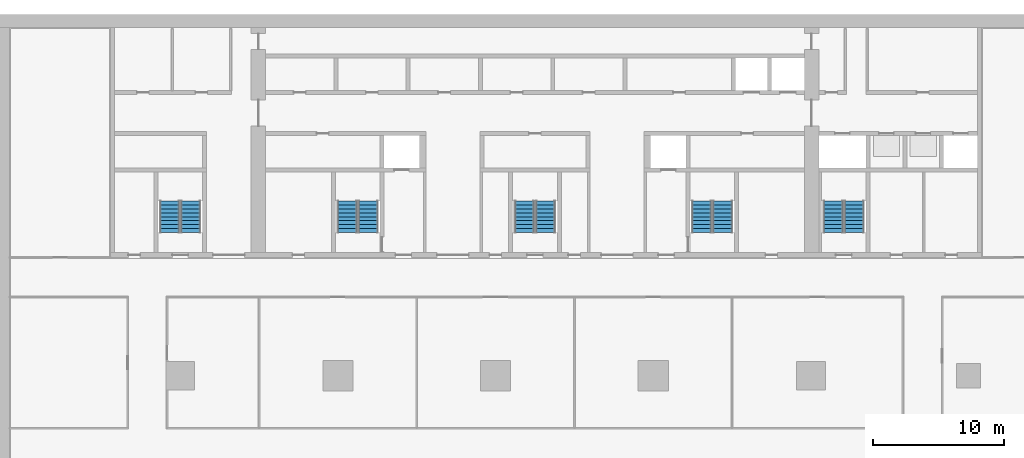
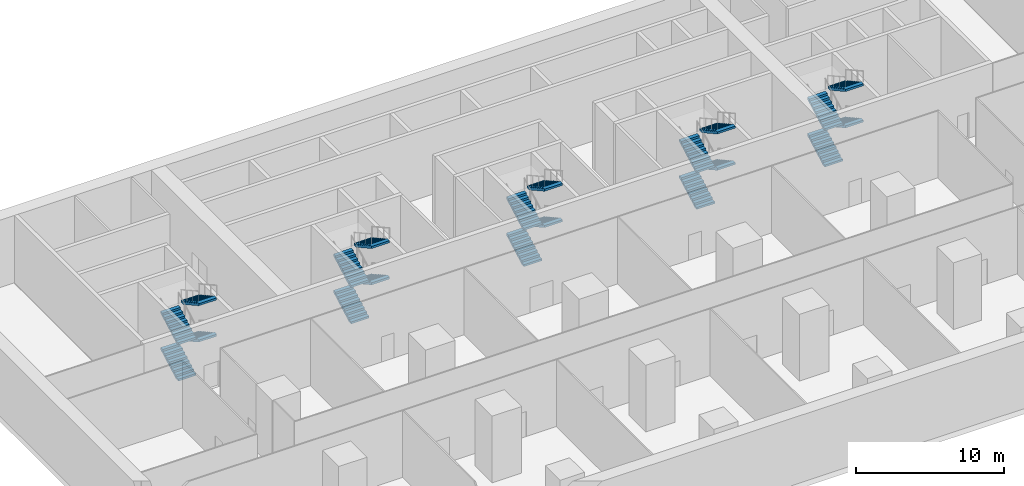
# One storey, part 7 of 10: 20 stair flights, 5 elements without a shape of their own.
"""IFC4 building model written with IfcOpenShell, lengths in metres."""

from ifc_helpers import new_model, si_unit, direction, frame, origin, place, context, subcontext, project, spatial, polyline, outline, extrude, material, type_object, element, aggregate, save


model = new_model("IFC4")

# Units and contexts
model_context = context("Model", 3, precision=1e-05, world=origin(), true_north=direction((0.0, 1.0)))
body_context = subcontext(model_context, "Body", "Model", "MODEL_VIEW")
ifc_project = project(units=[si_unit("LENGTHUNIT", "METRE"), si_unit("AREAUNIT", "SQUARE_METRE"), si_unit("VOLUMEUNIT", "CUBIC_METRE"), si_unit("PLANEANGLEUNIT", "RADIAN"), si_unit("MASSUNIT", "GRAM", prefix="KILO")], contexts=[model_context])

# Site, building, storey
site_placement = place(None, origin())
site = spatial("IfcSite", under=ifc_project, at=site_placement, CompositionType="ELEMENT")
building_placement = place(site_placement, origin())
building = spatial("IfcBuilding", under=site, at=building_placement, Name="Calvaro Tower", CompositionType="ELEMENT")
storey_placement = place(building_placement, frame((0.0, 0.0, -6.0)))
storey = spatial("IfcBuildingStorey", under=building, at=storey_placement, Name="B1", CompositionType="ELEMENT", Elevation=-6.0)

# Stair, stair flights
ifc_material_1 = material(Name="Concrete C40/50", Category="concrete")
stair_type = type_object("IfcStairType", Name="Exit stair 1400 4 flights", PredefinedType="DOUBLE_RETURN_STAIR", material=ifc_material_1)
stair_1_placement = place(storey_placement, origin())
stair_1 = element("IfcStair", 1, at=stair_1_placement, inside=storey, type_object=stair_type, Name="Exit stair S1", PredefinedType="DOUBLE_RETURN_STAIR")
ifc_material_2 = material(Name="Concrete C40/50", Category="concrete")
stair_flight_type = type_object("IfcStairFlightType", Name="Stair flight", PredefinedType="STRAIGHT", material=ifc_material_2)
stair_flight_1_placement = place(storey_placement, frame((11.199951171875, 29.89990234375, 0.0), z_axis=(0.0, 0.0, 1.0), x_axis=(0.0, 1.0, 0.0)))
stair_flight_1 = element("IfcStairFlight", 2, at=stair_flight_1_placement, type_object=stair_flight_type, Name="Exit stair 1, flight 1", NumberOfRisers=9, NumberOfTreads=8, PredefinedType="STRAIGHT", RiserHeight=0.166666667, TreadLength=0.3, context=body_context, shape_type="SweptSolid", body=[
    extrude(outline(polyline([(0.0, 0.0), (0.0, 0.166748046875), (0.300048828125, 0.166748046875), (0.300048828125, 0.333251953125), (0.60009765625, 0.333251953125), (0.60009765625, 0.5), (0.89990234375, 0.5), (0.89990234375, 0.666748046875), (1.199951171875, 0.666748046875), (1.199951171875, 0.833251953125), (1.5, 0.833251953125), (1.5, 1.0), (1.800048828125, 1.0), (1.800048828125, 1.166748046875), (2.10009765625, 1.166748046875), (2.10009765625, 1.333251953125), (2.39990234375, 1.333251953125), (2.39990234375, 1.5), (2.39990234375, 1.161865234375), (0.30859375, 0.0), (0.0, 0.0)])), frame((0.0, 0.699951171875, 0.0), z_axis=(0.0, -1.0, 0.0), x_axis=(1.0, 0.0, 0.0)), (0.0, 0.0, 1.0), 1.39990234375),
])
stair_flight_2_placement = place(storey_placement, frame((12.800048828125, 32.300048828125, 1.5), z_axis=(0.0, 0.0, 1.0), x_axis=(0.0, -1.0, 0.0)))
stair_flight_2 = element("IfcStairFlight", 3, at=stair_flight_2_placement, type_object=stair_flight_type, Name="Exit stair 1, flight 2", NumberOfRisers=9, NumberOfTreads=8, PredefinedType="STRAIGHT", RiserHeight=0.166666667, TreadLength=0.3, context=body_context, shape_type="SweptSolid", body=[
    extrude(outline(polyline([(0.0, 0.0), (0.0, 0.166748046875), (0.300048828125, 0.166748046875), (0.300048828125, 0.333251953125), (0.60009765625, 0.333251953125), (0.60009765625, 0.5), (0.89990234375, 0.5), (0.89990234375, 0.666748046875), (1.199951171875, 0.666748046875), (1.199951171875, 0.833251953125), (1.5, 0.833251953125), (1.5, 1.0), (1.800048828125, 1.0), (1.800048828125, 1.166748046875), (2.10009765625, 1.166748046875), (2.10009765625, 1.333251953125), (2.39990234375, 1.333251953125), (2.39990234375, 1.5), (2.39990234375, 1.161865234375), (0.30859375, 0.0), (0.0, 0.0)])), frame((0.0, 0.699951171875, 0.0), z_axis=(0.0, -1.0, 0.0), x_axis=(1.0, 0.0, 0.0)), (0.0, 0.0, 1.0), 1.39990234375),
])
stair_flight_3_placement = place(storey_placement, frame((11.199951171875, 29.89990234375, 3.0), z_axis=(0.0, 0.0, 1.0), x_axis=(0.0, 1.0, 0.0)))
stair_flight_3 = element("IfcStairFlight", 4, at=stair_flight_3_placement, type_object=stair_flight_type, Name="Exit stair 1, flight 3", NumberOfRisers=9, NumberOfTreads=8, PredefinedType="STRAIGHT", RiserHeight=0.166666667, TreadLength=0.3, context=body_context, shape_type="SweptSolid", body=[
    extrude(outline(polyline([(0.0, 0.0), (0.0, 0.166748046875), (0.300048828125, 0.166748046875), (0.300048828125, 0.333251953125), (0.60009765625, 0.333251953125), (0.60009765625, 0.5), (0.89990234375, 0.5), (0.89990234375, 0.666748046875), (1.199951171875, 0.666748046875), (1.199951171875, 0.833251953125), (1.5, 0.833251953125), (1.5, 1.0), (1.800048828125, 1.0), (1.800048828125, 1.166748046875), (2.10009765625, 1.166748046875), (2.10009765625, 1.333251953125), (2.39990234375, 1.333251953125), (2.39990234375, 1.5), (2.39990234375, 1.161865234375), (0.30859375, 0.0), (0.0, 0.0)])), frame((0.0, 0.699951171875, 0.0), z_axis=(0.0, -1.0, 0.0), x_axis=(1.0, 0.0, 0.0)), (0.0, 0.0, 1.0), 1.39990234375),
])
stair_flight_4_placement = place(storey_placement, frame((12.800048828125, 32.300048828125, 4.5), z_axis=(0.0, 0.0, 1.0), x_axis=(0.0, -1.0, 0.0)))
stair_flight_4 = element("IfcStairFlight", 5, at=stair_flight_4_placement, type_object=stair_flight_type, Name="Exit stair 1, flight 4", NumberOfRisers=9, NumberOfTreads=8, PredefinedType="STRAIGHT", RiserHeight=0.166666667, TreadLength=0.3, context=body_context, shape_type="SweptSolid", body=[
    extrude(outline(polyline([(0.0, 0.0), (0.0, 0.166748046875), (0.300048828125, 0.166748046875), (0.300048828125, 0.333251953125), (0.60009765625, 0.333251953125), (0.60009765625, 0.5), (0.89990234375, 0.5), (0.89990234375, 0.666748046875), (1.199951171875, 0.666748046875), (1.199951171875, 0.833251953125), (1.5, 0.833251953125), (1.5, 1.0), (1.800048828125, 1.0), (1.800048828125, 1.166748046875), (2.10009765625, 1.166748046875), (2.10009765625, 1.333251953125), (2.39990234375, 1.333251953125), (2.39990234375, 1.5), (2.39990234375, 1.161865234375), (0.30859375, 0.0), (0.0, 0.0)])), frame((0.0, 0.699951171875, 0.0), z_axis=(0.0, -1.0, 0.0), x_axis=(1.0, 0.0, 0.0)), (0.0, 0.0, 1.0), 1.39990234375),
])
aggregate(stair_1, [stair_flight_1, stair_flight_2, stair_flight_3, stair_flight_4])

stair_2_placement = place(storey_placement, origin())
stair_2 = element("IfcStair", 6, at=stair_2_placement, inside=storey, type_object=stair_type, Name="Exit stair S2", PredefinedType="DOUBLE_RETURN_STAIR")
stair_flight_5_placement = place(storey_placement, frame((24.699951171875, 29.89990234375, 0.0), z_axis=(0.0, 0.0, 1.0), x_axis=(0.0, 1.0, 0.0)))
stair_flight_5 = element("IfcStairFlight", 7, at=stair_flight_5_placement, type_object=stair_flight_type, Name="Exit stair 2, flight 1", NumberOfRisers=9, NumberOfTreads=8, PredefinedType="STRAIGHT", RiserHeight=0.166666667, TreadLength=0.3, context=body_context, shape_type="SweptSolid", body=[
    extrude(outline(polyline([(0.0, 0.0), (0.0, 0.166748046875), (0.300048828125, 0.166748046875), (0.300048828125, 0.333251953125), (0.60009765625, 0.333251953125), (0.60009765625, 0.5), (0.89990234375, 0.5), (0.89990234375, 0.666748046875), (1.199951171875, 0.666748046875), (1.199951171875, 0.833251953125), (1.5, 0.833251953125), (1.5, 1.0), (1.800048828125, 1.0), (1.800048828125, 1.166748046875), (2.10009765625, 1.166748046875), (2.10009765625, 1.333251953125), (2.39990234375, 1.333251953125), (2.39990234375, 1.5), (2.39990234375, 1.161865234375), (0.30859375, 0.0), (0.0, 0.0)])), frame((0.0, 0.699951171875, 0.0), z_axis=(0.0, -1.0, 0.0), x_axis=(1.0, 0.0, 0.0)), (0.0, 0.0, 1.0), 1.39990234375),
])
stair_flight_6_placement = place(storey_placement, frame((26.300048828125, 32.300048828125, 1.5), z_axis=(0.0, 0.0, 1.0), x_axis=(0.0, -1.0, 0.0)))
stair_flight_6 = element("IfcStairFlight", 8, at=stair_flight_6_placement, type_object=stair_flight_type, Name="Exit stair 2, flight 2", NumberOfRisers=9, NumberOfTreads=8, PredefinedType="STRAIGHT", RiserHeight=0.166666667, TreadLength=0.3, context=body_context, shape_type="SweptSolid", body=[
    extrude(outline(polyline([(0.0, 0.0), (0.0, 0.166748046875), (0.300048828125, 0.166748046875), (0.300048828125, 0.333251953125), (0.60009765625, 0.333251953125), (0.60009765625, 0.5), (0.89990234375, 0.5), (0.89990234375, 0.666748046875), (1.199951171875, 0.666748046875), (1.199951171875, 0.833251953125), (1.5, 0.833251953125), (1.5, 1.0), (1.800048828125, 1.0), (1.800048828125, 1.166748046875), (2.10009765625, 1.166748046875), (2.10009765625, 1.333251953125), (2.39990234375, 1.333251953125), (2.39990234375, 1.5), (2.39990234375, 1.161865234375), (0.30859375, 0.0), (0.0, 0.0)])), frame((0.0, 0.699951171875, 0.0), z_axis=(0.0, -1.0, 0.0), x_axis=(1.0, 0.0, 0.0)), (0.0, 0.0, 1.0), 1.39990234375),
])
stair_flight_7_placement = place(storey_placement, frame((24.699951171875, 29.89990234375, 3.0), z_axis=(0.0, 0.0, 1.0), x_axis=(0.0, 1.0, 0.0)))
stair_flight_7 = element("IfcStairFlight", 9, at=stair_flight_7_placement, type_object=stair_flight_type, Name="Exit stair 2, flight 3", NumberOfRisers=9, NumberOfTreads=8, PredefinedType="STRAIGHT", RiserHeight=0.166666667, TreadLength=0.3, context=body_context, shape_type="SweptSolid", body=[
    extrude(outline(polyline([(0.0, 0.0), (0.0, 0.166748046875), (0.300048828125, 0.166748046875), (0.300048828125, 0.333251953125), (0.60009765625, 0.333251953125), (0.60009765625, 0.5), (0.89990234375, 0.5), (0.89990234375, 0.666748046875), (1.199951171875, 0.666748046875), (1.199951171875, 0.833251953125), (1.5, 0.833251953125), (1.5, 1.0), (1.800048828125, 1.0), (1.800048828125, 1.166748046875), (2.10009765625, 1.166748046875), (2.10009765625, 1.333251953125), (2.39990234375, 1.333251953125), (2.39990234375, 1.5), (2.39990234375, 1.161865234375), (0.30859375, 0.0), (0.0, 0.0)])), frame((0.0, 0.699951171875, 0.0), z_axis=(0.0, -1.0, 0.0), x_axis=(1.0, 0.0, 0.0)), (0.0, 0.0, 1.0), 1.39990234375),
])
stair_flight_8_placement = place(storey_placement, frame((26.300048828125, 32.300048828125, 4.5), z_axis=(0.0, 0.0, 1.0), x_axis=(0.0, -1.0, 0.0)))
stair_flight_8 = element("IfcStairFlight", 10, at=stair_flight_8_placement, type_object=stair_flight_type, Name="Exit stair 2, flight 4", NumberOfRisers=9, NumberOfTreads=8, PredefinedType="STRAIGHT", RiserHeight=0.166666667, TreadLength=0.3, context=body_context, shape_type="SweptSolid", body=[
    extrude(outline(polyline([(0.0, 0.0), (0.0, 0.166748046875), (0.300048828125, 0.166748046875), (0.300048828125, 0.333251953125), (0.60009765625, 0.333251953125), (0.60009765625, 0.5), (0.89990234375, 0.5), (0.89990234375, 0.666748046875), (1.199951171875, 0.666748046875), (1.199951171875, 0.833251953125), (1.5, 0.833251953125), (1.5, 1.0), (1.800048828125, 1.0), (1.800048828125, 1.166748046875), (2.10009765625, 1.166748046875), (2.10009765625, 1.333251953125), (2.39990234375, 1.333251953125), (2.39990234375, 1.5), (2.39990234375, 1.161865234375), (0.30859375, 0.0), (0.0, 0.0)])), frame((0.0, 0.699951171875, 0.0), z_axis=(0.0, -1.0, 0.0), x_axis=(1.0, 0.0, 0.0)), (0.0, 0.0, 1.0), 1.39990234375),
])
aggregate(stair_2, [stair_flight_5, stair_flight_6, stair_flight_7, stair_flight_8])

stair_3_placement = place(storey_placement, origin())
stair_3 = element("IfcStair", 11, at=stair_3_placement, inside=storey, type_object=stair_type, Name="Exit stair S3", PredefinedType="DOUBLE_RETURN_STAIR")
stair_flight_9_placement = place(storey_placement, frame((38.199951171875, 29.89990234375, 0.0), z_axis=(0.0, 0.0, 1.0), x_axis=(0.0, 1.0, 0.0)))
stair_flight_9 = element("IfcStairFlight", 12, at=stair_flight_9_placement, type_object=stair_flight_type, Name="Exit stair 3, flight 1", NumberOfRisers=9, NumberOfTreads=8, PredefinedType="STRAIGHT", RiserHeight=0.166666667, TreadLength=0.3, context=body_context, shape_type="SweptSolid", body=[
    extrude(outline(polyline([(0.0, 0.0), (0.0, 0.166748046875), (0.300048828125, 0.166748046875), (0.300048828125, 0.333251953125), (0.60009765625, 0.333251953125), (0.60009765625, 0.5), (0.89990234375, 0.5), (0.89990234375, 0.666748046875), (1.199951171875, 0.666748046875), (1.199951171875, 0.833251953125), (1.5, 0.833251953125), (1.5, 1.0), (1.800048828125, 1.0), (1.800048828125, 1.166748046875), (2.10009765625, 1.166748046875), (2.10009765625, 1.333251953125), (2.39990234375, 1.333251953125), (2.39990234375, 1.5), (2.39990234375, 1.161865234375), (0.30859375, 0.0), (0.0, 0.0)])), frame((0.0, 0.699951171875, 0.0), z_axis=(0.0, -1.0, 0.0), x_axis=(1.0, 0.0, 0.0)), (0.0, 0.0, 1.0), 1.39990234375),
])
stair_flight_10_placement = place(storey_placement, frame((39.800048828125, 32.300048828125, 1.5), z_axis=(0.0, 0.0, 1.0), x_axis=(0.0, -1.0, 0.0)))
stair_flight_10 = element("IfcStairFlight", 13, at=stair_flight_10_placement, type_object=stair_flight_type, Name="Exit stair 3, flight 2", NumberOfRisers=9, NumberOfTreads=8, PredefinedType="STRAIGHT", RiserHeight=0.166666667, TreadLength=0.3, context=body_context, shape_type="SweptSolid", body=[
    extrude(outline(polyline([(0.0, 0.0), (0.0, 0.166748046875), (0.300048828125, 0.166748046875), (0.300048828125, 0.333251953125), (0.60009765625, 0.333251953125), (0.60009765625, 0.5), (0.89990234375, 0.5), (0.89990234375, 0.666748046875), (1.199951171875, 0.666748046875), (1.199951171875, 0.833251953125), (1.5, 0.833251953125), (1.5, 1.0), (1.800048828125, 1.0), (1.800048828125, 1.166748046875), (2.10009765625, 1.166748046875), (2.10009765625, 1.333251953125), (2.39990234375, 1.333251953125), (2.39990234375, 1.5), (2.39990234375, 1.161865234375), (0.30859375, 0.0), (0.0, 0.0)])), frame((0.0, 0.699951171875, 0.0), z_axis=(0.0, -1.0, 0.0), x_axis=(1.0, 0.0, 0.0)), (0.0, 0.0, 1.0), 1.39990234375),
])
stair_flight_11_placement = place(storey_placement, frame((38.199951171875, 29.89990234375, 3.0), z_axis=(0.0, 0.0, 1.0), x_axis=(0.0, 1.0, 0.0)))
stair_flight_11 = element("IfcStairFlight", 14, at=stair_flight_11_placement, type_object=stair_flight_type, Name="Exit stair 3, flight 3", NumberOfRisers=9, NumberOfTreads=8, PredefinedType="STRAIGHT", RiserHeight=0.166666667, TreadLength=0.3, context=body_context, shape_type="SweptSolid", body=[
    extrude(outline(polyline([(0.0, 0.0), (0.0, 0.166748046875), (0.300048828125, 0.166748046875), (0.300048828125, 0.333251953125), (0.60009765625, 0.333251953125), (0.60009765625, 0.5), (0.89990234375, 0.5), (0.89990234375, 0.666748046875), (1.199951171875, 0.666748046875), (1.199951171875, 0.833251953125), (1.5, 0.833251953125), (1.5, 1.0), (1.800048828125, 1.0), (1.800048828125, 1.166748046875), (2.10009765625, 1.166748046875), (2.10009765625, 1.333251953125), (2.39990234375, 1.333251953125), (2.39990234375, 1.5), (2.39990234375, 1.161865234375), (0.30859375, 0.0), (0.0, 0.0)])), frame((0.0, 0.699951171875, 0.0), z_axis=(0.0, -1.0, 0.0), x_axis=(1.0, 0.0, 0.0)), (0.0, 0.0, 1.0), 1.39990234375),
])
stair_flight_12_placement = place(storey_placement, frame((39.800048828125, 32.300048828125, 4.5), z_axis=(0.0, 0.0, 1.0), x_axis=(0.0, -1.0, 0.0)))
stair_flight_12 = element("IfcStairFlight", 15, at=stair_flight_12_placement, type_object=stair_flight_type, Name="Exit stair 3, flight 4", NumberOfRisers=9, NumberOfTreads=8, PredefinedType="STRAIGHT", RiserHeight=0.166666667, TreadLength=0.3, context=body_context, shape_type="SweptSolid", body=[
    extrude(outline(polyline([(0.0, 0.0), (0.0, 0.166748046875), (0.300048828125, 0.166748046875), (0.300048828125, 0.333251953125), (0.60009765625, 0.333251953125), (0.60009765625, 0.5), (0.89990234375, 0.5), (0.89990234375, 0.666748046875), (1.199951171875, 0.666748046875), (1.199951171875, 0.833251953125), (1.5, 0.833251953125), (1.5, 1.0), (1.800048828125, 1.0), (1.800048828125, 1.166748046875), (2.10009765625, 1.166748046875), (2.10009765625, 1.333251953125), (2.39990234375, 1.333251953125), (2.39990234375, 1.5), (2.39990234375, 1.161865234375), (0.30859375, 0.0), (0.0, 0.0)])), frame((0.0, 0.699951171875, 0.0), z_axis=(0.0, -1.0, 0.0), x_axis=(1.0, 0.0, 0.0)), (0.0, 0.0, 1.0), 1.39990234375),
])
aggregate(stair_3, [stair_flight_9, stair_flight_10, stair_flight_11, stair_flight_12])

stair_4_placement = place(storey_placement, origin())
stair_4 = element("IfcStair", 16, at=stair_4_placement, inside=storey, type_object=stair_type, Name="Exit stair S4", PredefinedType="DOUBLE_RETURN_STAIR")
stair_flight_13_placement = place(storey_placement, frame((51.699951171875, 29.89990234375, 0.0), z_axis=(0.0, 0.0, 1.0), x_axis=(0.0, 1.0, 0.0)))
stair_flight_13 = element("IfcStairFlight", 17, at=stair_flight_13_placement, type_object=stair_flight_type, Name="Exit stair 4, flight 1", NumberOfRisers=9, NumberOfTreads=8, PredefinedType="STRAIGHT", RiserHeight=0.166666667, TreadLength=0.3, context=body_context, shape_type="SweptSolid", body=[
    extrude(outline(polyline([(0.0, 0.0), (0.0, 0.166748046875), (0.300048828125, 0.166748046875), (0.300048828125, 0.333251953125), (0.60009765625, 0.333251953125), (0.60009765625, 0.5), (0.89990234375, 0.5), (0.89990234375, 0.666748046875), (1.199951171875, 0.666748046875), (1.199951171875, 0.833251953125), (1.5, 0.833251953125), (1.5, 1.0), (1.800048828125, 1.0), (1.800048828125, 1.166748046875), (2.10009765625, 1.166748046875), (2.10009765625, 1.333251953125), (2.39990234375, 1.333251953125), (2.39990234375, 1.5), (2.39990234375, 1.161865234375), (0.30859375, 0.0), (0.0, 0.0)])), frame((0.0, 0.699951171875, 0.0), z_axis=(0.0, -1.0, 0.0), x_axis=(1.0, 0.0, 0.0)), (0.0, 0.0, 1.0), 1.39990234375),
])
stair_flight_14_placement = place(storey_placement, frame((53.300048828125, 32.300048828125, 1.5), z_axis=(0.0, 0.0, 1.0), x_axis=(0.0, -1.0, 0.0)))
stair_flight_14 = element("IfcStairFlight", 18, at=stair_flight_14_placement, type_object=stair_flight_type, Name="Exit stair 4, flight 2", NumberOfRisers=9, NumberOfTreads=8, PredefinedType="STRAIGHT", RiserHeight=0.166666667, TreadLength=0.3, context=body_context, shape_type="SweptSolid", body=[
    extrude(outline(polyline([(0.0, 0.0), (0.0, 0.166748046875), (0.300048828125, 0.166748046875), (0.300048828125, 0.333251953125), (0.60009765625, 0.333251953125), (0.60009765625, 0.5), (0.89990234375, 0.5), (0.89990234375, 0.666748046875), (1.199951171875, 0.666748046875), (1.199951171875, 0.833251953125), (1.5, 0.833251953125), (1.5, 1.0), (1.800048828125, 1.0), (1.800048828125, 1.166748046875), (2.10009765625, 1.166748046875), (2.10009765625, 1.333251953125), (2.39990234375, 1.333251953125), (2.39990234375, 1.5), (2.39990234375, 1.161865234375), (0.30859375, 0.0), (0.0, 0.0)])), frame((0.0, 0.699951171875, 0.0), z_axis=(0.0, -1.0, 0.0), x_axis=(1.0, 0.0, 0.0)), (0.0, 0.0, 1.0), 1.39990234375),
])
stair_flight_15_placement = place(storey_placement, frame((51.699951171875, 29.89990234375, 3.0), z_axis=(0.0, 0.0, 1.0), x_axis=(0.0, 1.0, 0.0)))
stair_flight_15 = element("IfcStairFlight", 19, at=stair_flight_15_placement, type_object=stair_flight_type, Name="Exit stair 4, flight 3", NumberOfRisers=9, NumberOfTreads=8, PredefinedType="STRAIGHT", RiserHeight=0.166666667, TreadLength=0.3, context=body_context, shape_type="SweptSolid", body=[
    extrude(outline(polyline([(0.0, 0.0), (0.0, 0.166748046875), (0.300048828125, 0.166748046875), (0.300048828125, 0.333251953125), (0.60009765625, 0.333251953125), (0.60009765625, 0.5), (0.89990234375, 0.5), (0.89990234375, 0.666748046875), (1.199951171875, 0.666748046875), (1.199951171875, 0.833251953125), (1.5, 0.833251953125), (1.5, 1.0), (1.800048828125, 1.0), (1.800048828125, 1.166748046875), (2.10009765625, 1.166748046875), (2.10009765625, 1.333251953125), (2.39990234375, 1.333251953125), (2.39990234375, 1.5), (2.39990234375, 1.161865234375), (0.30859375, 0.0), (0.0, 0.0)])), frame((0.0, 0.699951171875, 0.0), z_axis=(0.0, -1.0, 0.0), x_axis=(1.0, 0.0, 0.0)), (0.0, 0.0, 1.0), 1.39990234375),
])
stair_flight_16_placement = place(storey_placement, frame((53.300048828125, 32.300048828125, 4.5), z_axis=(0.0, 0.0, 1.0), x_axis=(0.0, -1.0, 0.0)))
stair_flight_16 = element("IfcStairFlight", 20, at=stair_flight_16_placement, type_object=stair_flight_type, Name="Exit stair 4, flight 4", NumberOfRisers=9, NumberOfTreads=8, PredefinedType="STRAIGHT", RiserHeight=0.166666667, TreadLength=0.3, context=body_context, shape_type="SweptSolid", body=[
    extrude(outline(polyline([(0.0, 0.0), (0.0, 0.166748046875), (0.300048828125, 0.166748046875), (0.300048828125, 0.333251953125), (0.60009765625, 0.333251953125), (0.60009765625, 0.5), (0.89990234375, 0.5), (0.89990234375, 0.666748046875), (1.199951171875, 0.666748046875), (1.199951171875, 0.833251953125), (1.5, 0.833251953125), (1.5, 1.0), (1.800048828125, 1.0), (1.800048828125, 1.166748046875), (2.10009765625, 1.166748046875), (2.10009765625, 1.333251953125), (2.39990234375, 1.333251953125), (2.39990234375, 1.5), (2.39990234375, 1.161865234375), (0.30859375, 0.0), (0.0, 0.0)])), frame((0.0, 0.699951171875, 0.0), z_axis=(0.0, -1.0, 0.0), x_axis=(1.0, 0.0, 0.0)), (0.0, 0.0, 1.0), 1.39990234375),
])
aggregate(stair_4, [stair_flight_13, stair_flight_14, stair_flight_15, stair_flight_16])

stair_5_placement = place(storey_placement, origin())
stair_5 = element("IfcStair", 21, at=stair_5_placement, inside=storey, type_object=stair_type, Name="Exit stair S5", PredefinedType="DOUBLE_RETURN_STAIR")
stair_flight_17_placement = place(storey_placement, frame((61.699951171875, 29.89990234375, 0.0), z_axis=(0.0, 0.0, 1.0), x_axis=(0.0, 1.0, 0.0)))
stair_flight_17 = element("IfcStairFlight", 22, at=stair_flight_17_placement, type_object=stair_flight_type, Name="Exit stair 5, flight 1", NumberOfRisers=9, NumberOfTreads=8, PredefinedType="STRAIGHT", RiserHeight=0.166666667, TreadLength=0.3, context=body_context, shape_type="SweptSolid", body=[
    extrude(outline(polyline([(0.0, 0.0), (0.0, 0.166748046875), (0.300048828125, 0.166748046875), (0.300048828125, 0.333251953125), (0.60009765625, 0.333251953125), (0.60009765625, 0.5), (0.89990234375, 0.5), (0.89990234375, 0.666748046875), (1.199951171875, 0.666748046875), (1.199951171875, 0.833251953125), (1.5, 0.833251953125), (1.5, 1.0), (1.800048828125, 1.0), (1.800048828125, 1.166748046875), (2.10009765625, 1.166748046875), (2.10009765625, 1.333251953125), (2.39990234375, 1.333251953125), (2.39990234375, 1.5), (2.39990234375, 1.161865234375), (0.30859375, 0.0), (0.0, 0.0)])), frame((0.0, 0.699951171875, 0.0), z_axis=(0.0, -1.0, 0.0), x_axis=(1.0, 0.0, 0.0)), (0.0, 0.0, 1.0), 1.39990234375),
])
stair_flight_18_placement = place(storey_placement, frame((63.300048828125, 32.300048828125, 1.5), z_axis=(0.0, 0.0, 1.0), x_axis=(0.0, -1.0, 0.0)))
stair_flight_18 = element("IfcStairFlight", 23, at=stair_flight_18_placement, type_object=stair_flight_type, Name="Exit stair 5, flight 2", NumberOfRisers=9, NumberOfTreads=8, PredefinedType="STRAIGHT", RiserHeight=0.166666667, TreadLength=0.3, context=body_context, shape_type="SweptSolid", body=[
    extrude(outline(polyline([(0.0, 0.0), (0.0, 0.166748046875), (0.300048828125, 0.166748046875), (0.300048828125, 0.333251953125), (0.60009765625, 0.333251953125), (0.60009765625, 0.5), (0.89990234375, 0.5), (0.89990234375, 0.666748046875), (1.199951171875, 0.666748046875), (1.199951171875, 0.833251953125), (1.5, 0.833251953125), (1.5, 1.0), (1.800048828125, 1.0), (1.800048828125, 1.166748046875), (2.10009765625, 1.166748046875), (2.10009765625, 1.333251953125), (2.39990234375, 1.333251953125), (2.39990234375, 1.5), (2.39990234375, 1.161865234375), (0.30859375, 0.0), (0.0, 0.0)])), frame((0.0, 0.699951171875, 0.0), z_axis=(0.0, -1.0, 0.0), x_axis=(1.0, 0.0, 0.0)), (0.0, 0.0, 1.0), 1.39990234375),
])
stair_flight_19_placement = place(storey_placement, frame((61.699951171875, 29.89990234375, 3.0), z_axis=(0.0, 0.0, 1.0), x_axis=(0.0, 1.0, 0.0)))
stair_flight_19 = element("IfcStairFlight", 24, at=stair_flight_19_placement, type_object=stair_flight_type, Name="Exit stair 5, flight 3", NumberOfRisers=9, NumberOfTreads=8, PredefinedType="STRAIGHT", RiserHeight=0.166666667, TreadLength=0.3, context=body_context, shape_type="SweptSolid", body=[
    extrude(outline(polyline([(0.0, 0.0), (0.0, 0.166748046875), (0.300048828125, 0.166748046875), (0.300048828125, 0.333251953125), (0.60009765625, 0.333251953125), (0.60009765625, 0.5), (0.89990234375, 0.5), (0.89990234375, 0.666748046875), (1.199951171875, 0.666748046875), (1.199951171875, 0.833251953125), (1.5, 0.833251953125), (1.5, 1.0), (1.800048828125, 1.0), (1.800048828125, 1.166748046875), (2.10009765625, 1.166748046875), (2.10009765625, 1.333251953125), (2.39990234375, 1.333251953125), (2.39990234375, 1.5), (2.39990234375, 1.161865234375), (0.30859375, 0.0), (0.0, 0.0)])), frame((0.0, 0.699951171875, 0.0), z_axis=(0.0, -1.0, 0.0), x_axis=(1.0, 0.0, 0.0)), (0.0, 0.0, 1.0), 1.39990234375),
])
stair_flight_20_placement = place(storey_placement, frame((63.300048828125, 32.300048828125, 4.5), z_axis=(0.0, 0.0, 1.0), x_axis=(0.0, -1.0, 0.0)))
stair_flight_20 = element("IfcStairFlight", 25, at=stair_flight_20_placement, type_object=stair_flight_type, Name="Exit stair 5, flight 4", NumberOfRisers=9, NumberOfTreads=8, PredefinedType="STRAIGHT", RiserHeight=0.166666667, TreadLength=0.3, context=body_context, shape_type="SweptSolid", body=[
    extrude(outline(polyline([(0.0, 0.0), (0.0, 0.166748046875), (0.300048828125, 0.166748046875), (0.300048828125, 0.333251953125), (0.60009765625, 0.333251953125), (0.60009765625, 0.5), (0.89990234375, 0.5), (0.89990234375, 0.666748046875), (1.199951171875, 0.666748046875), (1.199951171875, 0.833251953125), (1.5, 0.833251953125), (1.5, 1.0), (1.800048828125, 1.0), (1.800048828125, 1.166748046875), (2.10009765625, 1.166748046875), (2.10009765625, 1.333251953125), (2.39990234375, 1.333251953125), (2.39990234375, 1.5), (2.39990234375, 1.161865234375), (0.30859375, 0.0), (0.0, 0.0)])), frame((0.0, 0.699951171875, 0.0), z_axis=(0.0, -1.0, 0.0), x_axis=(1.0, 0.0, 0.0)), (0.0, 0.0, 1.0), 1.39990234375),
])
aggregate(stair_5, [stair_flight_17, stair_flight_18, stair_flight_19, stair_flight_20])

save(model, "model.ifc")
